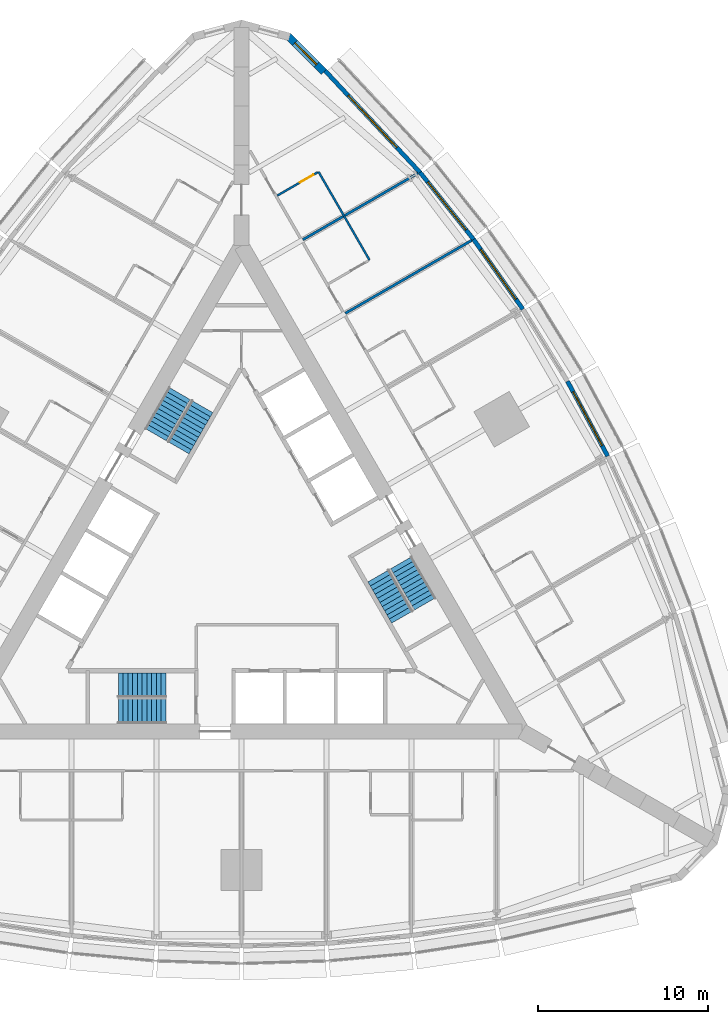
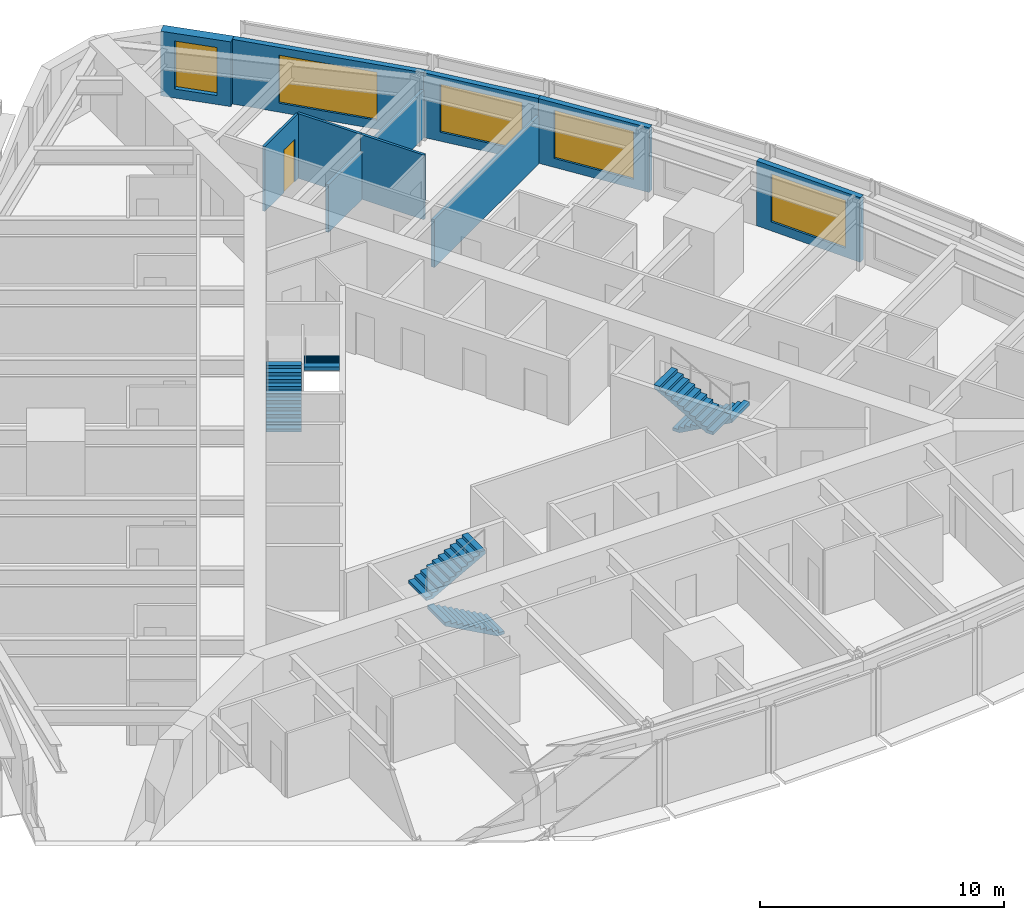
# One storey, part 13 of 14: 10 walls, 6 stair flights, 5 windows, 1 door, 6 openings, 3 elements without a shape of their own.
"""IFC4 building model written with IfcOpenShell, lengths in metres."""

from ifc_helpers import new_model, si_unit, direction, frame, frame_2d, origin, place, context, subcontext, project, spatial, polyline, rectangle, outline, extrude, material, layer, layer_set, type_object, element, fill, aggregate, save


model = new_model("IFC4")

# Units and contexts
model_context = context("Model", 3, precision=1e-05, world=origin(), true_north=direction((0.0, 1.0)))
body_context = subcontext(model_context, "Body", "Model", "MODEL_VIEW")
ifc_project = project(units=[si_unit("LENGTHUNIT", "METRE"), si_unit("AREAUNIT", "SQUARE_METRE"), si_unit("VOLUMEUNIT", "CUBIC_METRE"), si_unit("PLANEANGLEUNIT", "RADIAN"), si_unit("MASSUNIT", "GRAM", prefix="KILO")], contexts=[model_context])

# Site, building, storey
site_placement = place(None, origin())
site = spatial("IfcSite", under=ifc_project, at=site_placement, CompositionType="ELEMENT")
building_placement = place(site_placement, origin())
building = spatial("IfcBuilding", under=site, at=building_placement, Name="Trikona Tower", CompositionType="ELEMENT")
storey_placement = place(building_placement, frame((0.0, 0.0, 38.699951171875)))
storey = spatial("IfcBuildingStorey", under=building, at=storey_placement, Name="L08", CompositionType="ELEMENT", Elevation=38.699951171875)

# Walls
ifc_material_1 = material(Name="Metal stud and cement board", Category="gypsum")
ifc_layer_1 = layer(ifc_material_1, 0.1201171875)
ifc_layer_set_1 = layer_set([ifc_layer_1], Name="Bathroom wall 120")
wall_type_1 = type_object("IfcWallType", Name="Bathroom wall 120", PredefinedType="PLUMBINGWALL", material=ifc_layer_set_1)
for number, where, z_axis, x_axis, name in (
    (1, (7.53271484375, 18.205322265625, 0.0), (0.0, 0.0, 1.0), (-0.499990139034, 0.866031096941, 0.0), "Bathroom wall 0811"),
    (2, (6.03271484375, 20.803466796875, 0.0), (0.0, 0.0, 1.0), (-0.499990139034, 0.866031096941, 0.0), "Bathroom wall 0812"),
):
    element("IfcWall", number, at=place(storey_placement, frame(where, z_axis=z_axis, x_axis=x_axis)), inside=storey, type_object=wall_type_1, Name=name, PredefinedType="PLUMBINGWALL", context=body_context, shape_type="SweptSolid", body=[
        extrude(rectangle(XDim=3.0, YDim=0.1201171875, at=frame_2d((1.5, 0.0))), origin(), (0.0, 0.0, 1.0), 3.235107421875),
    ])

# Wall, opening, door
wall_1_placement = place(storey_placement, frame((2.10791015625, 22.001708984375, 0.0), z_axis=(0.0, 0.0, 1.0), x_axis=(0.866035715982, 0.499982138324, 0.0)))
wall_1 = element("IfcWall", 3, at=wall_1_placement, inside=storey, type_object=wall_type_1, Name="Bathroom wall 0812", PredefinedType="PLUMBINGWALL", context=body_context, shape_type="SweptSolid", body=[
    extrude(rectangle(XDim=2.73974609375, YDim=0.1201171875, at=frame_2d((1.369873046875, 0.0))), origin(), (0.0, 0.0, 1.0), 3.235107421875),
])
opening_1_placement = place(wall_1_placement, frame((1.550048828125, 0.0, 0.0)))
opening_1 = element("IfcOpeningElement", 4, at=opening_1_placement, cuts=wall_1, Name="Opening D2", PredefinedType="OPENING", context=body_context, shape_type="SweptSolid", body=[
    extrude(rectangle(XDim=0.89990234375, YDim=2.1298828125, at=frame_2d((0.449951171875, 1.06494140625))), frame((0.0, 0.070068359375, 0.0), z_axis=(0.0, -1.0, 0.0), x_axis=(1.0, 0.0, 0.0)), (0.0, 0.0, 1.0), 0.14013671875),
])
ifc_material_2 = material(Name="Steel door frame with solid-core timber leaf", Category="steel")
door_type = type_object("IfcDoorType", Name="Bathroom door 900x2130", OperationType="SLIDING_TO_LEFT", PredefinedType="DOOR", material=ifc_material_2)
door_placement = place(opening_1_placement, origin())
door = element("IfcDoor", 5, at=door_placement, inside=storey, type_object=door_type, Name="Bathroom door 0812", OperationType="SLIDING_TO_LEFT", OverallHeight=2.1298828125, OverallWidth=0.89990234375, PredefinedType="DOOR", context=body_context, shape_type="SweptSolid", body=[
    extrude(rectangle(XDim=0.89990234375, YDim=2.1298828125, at=frame_2d((0.449951171875, 1.06494140625))), frame((0.0, 0.02490234375, 0.0), z_axis=(0.0, -1.0, 0.0), x_axis=(1.0, 0.0, 0.0)), (0.0, 0.0, 1.0), 0.050048828125),
])
fill(opening_1, door)

# Wall, opening, window
ifc_material_3 = material(Name="Brick-faced precast concrete", Category="masonry")
ifc_layer_2 = layer(ifc_material_3, 0.449951171875)
ifc_layer_set_2 = layer_set([ifc_layer_2], Name="Brick-faced corner wall 450")
wall_type_2 = type_object("IfcWallType", Name="Brick-faced corner wall 450", PredefinedType="SOLIDWALL", material=ifc_layer_set_2)
wall_2_placement = place(storey_placement, frame((4.8408203125, 29.285888671875, 0.0), z_axis=(0.0, 0.0, 1.0), x_axis=(-0.707106781187, 0.707106781187, 0.0)))
wall_2 = element("IfcWall", 6, at=wall_2_placement, inside=storey, type_object=wall_type_2, Name="External wall L08-20", PredefinedType="SOLIDWALL", context=body_context, shape_type="SweptSolid", body=[
    extrude(rectangle(XDim=2.98828125, YDim=0.449951171875, at=frame_2d((1.494140625, 0.0))), origin(), (0.0, 0.0, 1.0), 3.235107421875),
])
opening_2_placement = place(wall_2_placement, frame((0.59423828125, 0.0, 0.449951171875)))
opening_2 = element("IfcOpeningElement", 7, at=opening_2_placement, cuts=wall_2, Name="Opening W1824", PredefinedType="OPENING", context=body_context, shape_type="SweptSolid", body=[
    extrude(rectangle(XDim=1.800048828125, YDim=2.39990234375, at=frame_2d((0.89990234375, 1.199951171875))), frame((0.0, 0.23486328125, 0.0), z_axis=(0.0, -1.0, 0.0), x_axis=(1.0, 0.0, 0.0)), (0.0, 0.0, 1.0), 0.469970703125),
])
ifc_material_4 = material(Name="Aluminium-framed double glazing", Category="aluminium")
window_type_1 = type_object("IfcWindowType", Name="Window 1800x2400", PartitioningType="SINGLE_PANEL", PredefinedType="WINDOW", material=ifc_material_4)
window_1_placement = place(opening_2_placement, origin())
window_1 = element("IfcWindow", 8, at=window_1_placement, inside=storey, type_object=window_type_1, Name="Window 0812", OverallHeight=2.39990234375, OverallWidth=1.800048828125, PartitioningType="SINGLE_PANEL", PredefinedType="WINDOW", context=body_context, shape_type="SweptSolid", body=[
    extrude(rectangle(XDim=1.800048828125, YDim=2.39990234375, at=frame_2d((0.89990234375, 1.199951171875))), frame((0.0, 0.030029296875, 0.0), z_axis=(0.0, -1.0, 0.0), x_axis=(1.0, 0.0, 0.0)), (0.0, 0.0, 1.0), 0.06005859375),
])
fill(opening_2, window_1)

ifc_material_5 = material(Name="Insulated precast concrete spandrel panel", Category="concrete")
ifc_layer_3 = layer(ifc_material_5, 0.25)
ifc_layer_set_3 = layer_set([ifc_layer_3], Name="Inner skin wall 250")
wall_type_3 = type_object("IfcWallType", Name="Inner skin wall 250", PredefinedType="STANDARD", material=ifc_layer_set_3)
wall_3_placement = place(storey_placement, frame((21.546630859375, 6.6708984375, 0.0), z_axis=(0.0, 0.0, 1.0), x_axis=(-0.473412820489, 0.880840678782, 0.0)))
wall_3 = element("IfcWall", 9, at=wall_3_placement, inside=storey, type_object=wall_type_3, Name="External wall L08-15", PredefinedType="STANDARD", context=body_context, shape_type="SweptSolid", body=[
    extrude(rectangle(XDim=5.00244140625, YDim=0.25, at=frame_2d((2.501220703125, 0.0))), origin(), (0.0, 0.0, 1.0), 3.235107421875),
])
opening_3_placement = place(wall_3_placement, frame((0.701171875, 0.0, 0.449951171875)))
opening_3 = element("IfcOpeningElement", 10, at=opening_3_placement, cuts=wall_3, Name="Opening W3624", PredefinedType="OPENING", context=body_context, shape_type="SweptSolid", body=[
    extrude(rectangle(XDim=3.60009765625, YDim=2.39990234375, at=frame_2d((1.800048828125, 1.199951171875))), frame((0.0, 0.135009765625, 0.0), z_axis=(0.0, -1.0, 0.0), x_axis=(1.0, 0.0, 0.0)), (0.0, 0.0, 1.0), 0.27001953125),
])
ifc_material_6 = material(Name="Aluminium-framed double glazing", Category="aluminium")
window_type_2 = type_object("IfcWindowType", Name="Window 3600x2400", PartitioningType="SINGLE_PANEL", PredefinedType="WINDOW", material=ifc_material_6)
window_2_placement = place(opening_3_placement, origin())
window_2 = element("IfcWindow", 11, at=window_2_placement, inside=storey, type_object=window_type_2, Name="Window 0809", OverallHeight=2.39990234375, OverallWidth=3.60009765625, PartitioningType="SINGLE_PANEL", PredefinedType="WINDOW", context=body_context, shape_type="SweptSolid", body=[
    extrude(rectangle(XDim=3.60009765625, YDim=2.39990234375, at=frame_2d((1.800048828125, 1.199951171875))), frame((0.0, 0.030029296875, 0.0), z_axis=(0.0, -1.0, 0.0), x_axis=(1.0, 0.0, 0.0)), (0.0, 0.0, 1.0), 0.06005859375),
])
fill(opening_3, window_2)

wall_4_placement = place(storey_placement, frame((16.5546875, 15.318115234375, 0.0), z_axis=(0.0, 0.0, 1.0), x_axis=(-0.5766431066, 0.81699616132, 0.0)))
wall_4 = element("IfcWall", 12, at=wall_4_placement, inside=storey, type_object=wall_type_3, Name="External wall L08-17", PredefinedType="STANDARD", context=body_context, shape_type="SweptSolid", body=[
    extrude(rectangle(XDim=5.02099609375, YDim=0.25, at=frame_2d((2.510498046875, 0.0))), origin(), (0.0, 0.0, 1.0), 3.235107421875),
])
opening_4_placement = place(wall_4_placement, frame((0.71044921875, 0.0, 0.449951171875)))
opening_4 = element("IfcOpeningElement", 13, at=opening_4_placement, cuts=wall_4, Name="Opening W3624", PredefinedType="OPENING", context=body_context, shape_type="SweptSolid", body=[
    extrude(rectangle(XDim=3.60009765625, YDim=2.39990234375, at=frame_2d((1.800048828125, 1.199951171875))), frame((0.0, 0.135009765625, 0.0), z_axis=(0.0, -1.0, 0.0), x_axis=(1.0, 0.0, 0.0)), (0.0, 0.0, 1.0), 0.27001953125),
])
window_3_placement = place(opening_4_placement, origin())
window_3 = element("IfcWindow", 14, at=window_3_placement, inside=storey, type_object=window_type_2, Name="Window 0810", OverallHeight=2.39990234375, OverallWidth=3.60009765625, PartitioningType="SINGLE_PANEL", PredefinedType="WINDOW", context=body_context, shape_type="SweptSolid", body=[
    extrude(rectangle(XDim=3.60009765625, YDim=2.39990234375, at=frame_2d((1.800048828125, 1.199951171875))), frame((0.0, 0.030029296875, 0.0), z_axis=(0.0, -1.0, 0.0), x_axis=(1.0, 0.0, 0.0)), (0.0, 0.0, 1.0), 0.06005859375),
])
fill(opening_4, window_3)

wall_5_placement = place(storey_placement, frame((13.663818359375, 19.4140625, 0.0), z_axis=(0.0, 0.0, 1.0), x_axis=(-0.624594965756, 0.780948864364, 0.0)))
wall_5 = element("IfcWall", 15, at=wall_5_placement, inside=storey, type_object=wall_type_3, Name="External wall L08-18", PredefinedType="STANDARD", context=body_context, shape_type="SweptSolid", body=[
    extrude(rectangle(XDim=5.0576171875, YDim=0.25, at=frame_2d((2.52880859375, 0.0))), origin(), (0.0, 0.0, 1.0), 3.235107421875),
])
opening_5_placement = place(wall_5_placement, frame((0.728759765625, 0.0, 0.449951171875)))
opening_5 = element("IfcOpeningElement", 16, at=opening_5_placement, cuts=wall_5, Name="Opening W3624", PredefinedType="OPENING", context=body_context, shape_type="SweptSolid", body=[
    extrude(rectangle(XDim=3.60009765625, YDim=2.39990234375, at=frame_2d((1.800048828125, 1.199951171875))), frame((0.0, 0.135009765625, 0.0), z_axis=(0.0, -1.0, 0.0), x_axis=(1.0, 0.0, 0.0)), (0.0, 0.0, 1.0), 0.27001953125),
])
window_4_placement = place(opening_5_placement, origin())
window_4 = element("IfcWindow", 17, at=window_4_placement, inside=storey, type_object=window_type_2, Name="Window 0811", OverallHeight=2.39990234375, OverallWidth=3.60009765625, PartitioningType="SINGLE_PANEL", PredefinedType="WINDOW", context=body_context, shape_type="SweptSolid", body=[
    extrude(rectangle(XDim=3.60009765625, YDim=2.39990234375, at=frame_2d((1.800048828125, 1.199951171875))), frame((0.0, 0.030029296875, 0.0), z_axis=(0.0, -1.0, 0.0), x_axis=(1.0, 0.0, 0.0)), (0.0, 0.0, 1.0), 0.06005859375),
])
fill(opening_5, window_4)

wall_6_placement = place(storey_placement, frame((10.510986328125, 23.356689453125, 0.0), z_axis=(0.0, 0.0, 1.0), x_axis=(-0.682289646561, 0.731081964075, 0.0)))
wall_6 = element("IfcWall", 18, at=wall_6_placement, inside=storey, type_object=wall_type_3, Name="External wall L08-19", PredefinedType="STANDARD", context=body_context, shape_type="SweptSolid", body=[
    extrude(rectangle(XDim=8.2109375, YDim=0.25, at=frame_2d((4.10546875, 0.0))), origin(), (0.0, 0.0, 1.0), 3.235107421875),
])
opening_6_placement = place(wall_6_placement, frame((2.005615234375, 0.0, 0.449951171875)))
opening_6 = element("IfcOpeningElement", 19, at=opening_6_placement, cuts=wall_6, Name="Opening W4224", PredefinedType="OPENING", context=body_context, shape_type="SweptSolid", body=[
    extrude(rectangle(XDim=4.199951171875, YDim=2.39990234375, at=frame_2d((2.10009765625, 1.199951171875))), frame((0.0, 0.135009765625, 0.0), z_axis=(0.0, -1.0, 0.0), x_axis=(1.0, 0.0, 0.0)), (0.0, 0.0, 1.0), 0.27001953125),
])
ifc_material_7 = material(Name="Aluminium-framed double glazing", Category="aluminium")
window_type_3 = type_object("IfcWindowType", Name="Window 4200x2400", PartitioningType="SINGLE_PANEL", PredefinedType="WINDOW", material=ifc_material_7)
window_5_placement = place(opening_6_placement, origin())
window_5 = element("IfcWindow", 20, at=window_5_placement, inside=storey, type_object=window_type_3, Name="Window 0812", OverallHeight=2.39990234375, OverallWidth=4.199951171875, PartitioningType="SINGLE_PANEL", PredefinedType="WINDOW", context=body_context, shape_type="SweptSolid", body=[
    extrude(rectangle(XDim=4.199951171875, YDim=2.39990234375, at=frame_2d((2.10009765625, 1.199951171875))), frame((0.0, 0.030029296875, 0.0), z_axis=(0.0, -1.0, 0.0), x_axis=(1.0, 0.0, 0.0)), (0.0, 0.0, 1.0), 0.06005859375),
])
fill(opening_6, window_5)

# Walls
ifc_material_8 = material(Name="Metal stud and gypsum board, 1-hour acoustic", Category="gypsum")
ifc_layer_4 = layer(ifc_material_8, 0.14990234375)
ifc_layer_set_4 = layer_set([ifc_layer_4], Name="Party wall 150")
wall_type_4 = type_object("IfcWallType", Name="Party wall 150", PredefinedType="PARTITIONING", material=ifc_layer_set_4)
wall_7_placement = place(storey_placement, frame((6.10791015625, 15.073486328125, 0.0), z_axis=(0.0, 0.0, 1.0), x_axis=(0.866031196456, 0.499989966665, 0.0)))
element("IfcWall", 21, at=wall_7_placement, inside=storey, type_object=wall_type_4, Name="Partition L08 F2 u10", PredefinedType="PARTITIONING", context=body_context, shape_type="SweptSolid", body=[
    extrude(rectangle(XDim=8.584716796875, YDim=0.14990234375, at=frame_2d((4.29248046875, 0.0))), origin(), (0.0, 0.0, 1.0), 2.38916015625),
])
wall_8_placement = place(storey_placement, frame((3.60791015625, 19.403564453125, 0.0), z_axis=(0.0, 0.0, 1.0), x_axis=(0.866021300503, 0.500007107024, 0.0)))
element("IfcWall", 22, at=wall_8_placement, inside=storey, type_object=wall_type_4, Name="Partition L08 F2 u15", PredefinedType="PARTITIONING", context=body_context, shape_type="SweptSolid", body=[
    extrude(rectangle(XDim=7.8203125, YDim=0.14990234375, at=frame_2d((3.91015625, 0.0))), origin(), (0.0, 0.0, 1.0), 2.38916015625),
])

# Stair, stair flights
ifc_material_9 = material(Name="Concrete f'c 5000 psi", Category="concrete")
stair_type = type_object("IfcStairType", Name="Core stair", PredefinedType="HALF_TURN_STAIR", material=ifc_material_9)
stair_1_placement = place(storey_placement, origin())
stair_1 = element("IfcStair", 23, at=stair_1_placement, inside=storey, type_object=stair_type, Name="Stair A L08", PredefinedType="HALF_TURN_STAIR")
ifc_material_10 = material(Name="Concrete f'c 5000 psi", Category="concrete")
stair_flight_type = type_object("IfcStairFlightType", Name="Core stair flight 1450", PredefinedType="STRAIGHT", material=ifc_material_10)
stair_flight_1_placement = place(storey_placement, frame((-4.449951171875, -8.351318359375, 0.0), z_axis=(0.0, 0.0, 1.0), x_axis=(-1.0, 0.0, 0.0)))
stair_flight_1 = element("IfcStairFlight", 24, at=stair_flight_1_placement, type_object=stair_flight_type, Name="ST-A flight 1", NumberOfRisers=11, NumberOfTreads=10, PredefinedType="STRAIGHT", RiserHeight=0.154545, TreadLength=0.28, context=body_context, shape_type="SweptSolid", body=[
    extrude(outline(polyline([(0.0, 0.0), (0.0, 0.154541015625), (0.280029296875, 0.154541015625), (0.280029296875, 0.30908203125), (0.56005859375, 0.30908203125), (0.56005859375, 0.463623046875), (0.840087890625, 0.463623046875), (0.840087890625, 0.6181640625), (1.1201171875, 0.6181640625), (1.1201171875, 0.772705078125), (1.39990234375, 0.772705078125), (1.39990234375, 0.92724609375), (1.679931640625, 0.92724609375), (1.679931640625, 1.081787109375), (1.9599609375, 1.081787109375), (1.9599609375, 1.236328125), (2.239990234375, 1.236328125), (2.239990234375, 1.390869140625), (2.52001953125, 1.390869140625), (2.52001953125, 1.54541015625), (2.800048828125, 1.54541015625), (2.800048828125, 1.699951171875), (2.800048828125, 1.374267578125), (0.310302734375, 0.0), (0.0, 0.0)])), frame((0.0, 0.72509765625, 0.0), z_axis=(0.0, -1.0, 0.0), x_axis=(1.0, 0.0, 0.0)), (0.0, 0.0, 1.0), 1.449951171875),
])
stair_flight_2_placement = place(storey_placement, frame((-7.25, -6.80126953125, 1.699951171875), z_axis=(0.0, 0.0, 1.0), x_axis=(1.0, 0.0, 0.0)))
stair_flight_2 = element("IfcStairFlight", 25, at=stair_flight_2_placement, type_object=stair_flight_type, Name="ST-A flight 2", NumberOfRisers=11, NumberOfTreads=10, PredefinedType="STRAIGHT", RiserHeight=0.154545, TreadLength=0.28, context=body_context, shape_type="SweptSolid", body=[
    extrude(outline(polyline([(0.0, 0.0), (0.0, 0.154541015625), (0.280029296875, 0.154541015625), (0.280029296875, 0.30908203125), (0.56005859375, 0.30908203125), (0.56005859375, 0.463623046875), (0.840087890625, 0.463623046875), (0.840087890625, 0.6181640625), (1.1201171875, 0.6181640625), (1.1201171875, 0.772705078125), (1.39990234375, 0.772705078125), (1.39990234375, 0.92724609375), (1.679931640625, 0.92724609375), (1.679931640625, 1.081787109375), (1.9599609375, 1.081787109375), (1.9599609375, 1.236328125), (2.239990234375, 1.236328125), (2.239990234375, 1.390869140625), (2.52001953125, 1.390869140625), (2.52001953125, 1.54541015625), (2.800048828125, 1.54541015625), (2.800048828125, 1.699951171875), (2.800048828125, 1.374267578125), (0.310302734375, 0.0), (0.0, 0.0)])), frame((0.0, 0.72509765625, 0.0), z_axis=(0.0, -1.0, 0.0), x_axis=(1.0, 0.0, 0.0)), (0.0, 0.0, 1.0), 1.449951171875),
])
aggregate(stair_1, [stair_flight_1, stair_flight_2])

stair_2_placement = place(storey_placement, origin())
stair_2 = element("IfcStair", 26, at=stair_2_placement, inside=storey, type_object=stair_type, Name="Stair B L08", PredefinedType="HALF_TURN_STAIR")
stair_flight_3_placement = place(storey_placement, frame((9.407470703125, 0.408447265625, 0.0), z_axis=(0.0, 0.0, 1.0), x_axis=(0.5, -0.866025403784, 0.0)))
stair_flight_3 = element("IfcStairFlight", 27, at=stair_flight_3_placement, type_object=stair_flight_type, Name="ST-B flight 1", NumberOfRisers=11, NumberOfTreads=10, PredefinedType="STRAIGHT", RiserHeight=0.154545, TreadLength=0.28, context=body_context, shape_type="SweptSolid", body=[
    extrude(outline(polyline([(0.0, 0.0), (0.0, 0.154541015625), (0.280029296875, 0.154541015625), (0.280029296875, 0.30908203125), (0.56005859375, 0.30908203125), (0.56005859375, 0.463623046875), (0.840087890625, 0.463623046875), (0.840087890625, 0.6181640625), (1.1201171875, 0.6181640625), (1.1201171875, 0.772705078125), (1.39990234375, 0.772705078125), (1.39990234375, 0.92724609375), (1.679931640625, 0.92724609375), (1.679931640625, 1.081787109375), (1.9599609375, 1.081787109375), (1.9599609375, 1.236328125), (2.239990234375, 1.236328125), (2.239990234375, 1.390869140625), (2.52001953125, 1.390869140625), (2.52001953125, 1.54541015625), (2.800048828125, 1.54541015625), (2.800048828125, 1.699951171875), (2.800048828125, 1.374267578125), (0.310302734375, 0.0), (0.0, 0.0)])), frame((0.0, 0.72509765625, 0.0), z_axis=(0.0, -1.0, 0.0), x_axis=(1.0, 0.0, 0.0)), (0.0, 0.0, 1.0), 1.449951171875),
])
stair_flight_4_placement = place(storey_placement, frame((9.465087890625, -2.79150390625, 1.699951171875), z_axis=(0.0, 0.0, 1.0), x_axis=(-0.5, 0.866025403784, 0.0)))
stair_flight_4 = element("IfcStairFlight", 28, at=stair_flight_4_placement, type_object=stair_flight_type, Name="ST-B flight 2", NumberOfRisers=11, NumberOfTreads=10, PredefinedType="STRAIGHT", RiserHeight=0.154545, TreadLength=0.28, context=body_context, shape_type="SweptSolid", body=[
    extrude(outline(polyline([(0.0, 0.0), (0.0, 0.154541015625), (0.280029296875, 0.154541015625), (0.280029296875, 0.30908203125), (0.56005859375, 0.30908203125), (0.56005859375, 0.463623046875), (0.840087890625, 0.463623046875), (0.840087890625, 0.6181640625), (1.1201171875, 0.6181640625), (1.1201171875, 0.772705078125), (1.39990234375, 0.772705078125), (1.39990234375, 0.92724609375), (1.679931640625, 0.92724609375), (1.679931640625, 1.081787109375), (1.9599609375, 1.081787109375), (1.9599609375, 1.236328125), (2.239990234375, 1.236328125), (2.239990234375, 1.390869140625), (2.52001953125, 1.390869140625), (2.52001953125, 1.54541015625), (2.800048828125, 1.54541015625), (2.800048828125, 1.699951171875), (2.800048828125, 1.374267578125), (0.310302734375, 0.0), (0.0, 0.0)])), frame((0.0, 0.72509765625, 0.0), z_axis=(0.0, -1.0, 0.0), x_axis=(1.0, 0.0, 0.0)), (0.0, 0.0, 1.0), 1.449951171875),
])
aggregate(stair_2, [stair_flight_3, stair_flight_4])

stair_3_placement = place(storey_placement, origin())
stair_3 = element("IfcStair", 29, at=stair_3_placement, inside=storey, type_object=stair_type, Name="Stair C L08", PredefinedType="HALF_TURN_STAIR")
stair_flight_5_placement = place(storey_placement, frame((-5.057373046875, 7.94287109375, 0.0), z_axis=(0.0, 0.0, 1.0), x_axis=(0.5, 0.866025403784, 0.0)))
stair_flight_5 = element("IfcStairFlight", 30, at=stair_flight_5_placement, type_object=stair_flight_type, Name="ST-C flight 1", NumberOfRisers=11, NumberOfTreads=10, PredefinedType="STRAIGHT", RiserHeight=0.154545, TreadLength=0.28, context=body_context, shape_type="SweptSolid", body=[
    extrude(outline(polyline([(0.0, 0.0), (0.0, 0.154541015625), (0.280029296875, 0.154541015625), (0.280029296875, 0.30908203125), (0.56005859375, 0.30908203125), (0.56005859375, 0.463623046875), (0.840087890625, 0.463623046875), (0.840087890625, 0.6181640625), (1.1201171875, 0.6181640625), (1.1201171875, 0.772705078125), (1.39990234375, 0.772705078125), (1.39990234375, 0.92724609375), (1.679931640625, 0.92724609375), (1.679931640625, 1.081787109375), (1.9599609375, 1.081787109375), (1.9599609375, 1.236328125), (2.239990234375, 1.236328125), (2.239990234375, 1.390869140625), (2.52001953125, 1.390869140625), (2.52001953125, 1.54541015625), (2.800048828125, 1.54541015625), (2.800048828125, 1.699951171875), (2.800048828125, 1.374267578125), (0.310302734375, 0.0), (0.0, 0.0)])), frame((0.0, 0.72509765625, 0.0), z_axis=(0.0, -1.0, 0.0), x_axis=(1.0, 0.0, 0.0)), (0.0, 0.0, 1.0), 1.449951171875),
])
stair_flight_6_placement = place(storey_placement, frame((-2.315185546875, 9.5927734375, 1.699951171875), z_axis=(0.0, 0.0, 1.0), x_axis=(-0.5, -0.866025403784, 0.0)))
stair_flight_6 = element("IfcStairFlight", 31, at=stair_flight_6_placement, type_object=stair_flight_type, Name="ST-C flight 2", NumberOfRisers=11, NumberOfTreads=10, PredefinedType="STRAIGHT", RiserHeight=0.154545, TreadLength=0.28, context=body_context, shape_type="SweptSolid", body=[
    extrude(outline(polyline([(0.0, 0.0), (0.0, 0.154541015625), (0.280029296875, 0.154541015625), (0.280029296875, 0.30908203125), (0.56005859375, 0.30908203125), (0.56005859375, 0.463623046875), (0.840087890625, 0.463623046875), (0.840087890625, 0.6181640625), (1.1201171875, 0.6181640625), (1.1201171875, 0.772705078125), (1.39990234375, 0.772705078125), (1.39990234375, 0.92724609375), (1.679931640625, 0.92724609375), (1.679931640625, 1.081787109375), (1.9599609375, 1.081787109375), (1.9599609375, 1.236328125), (2.239990234375, 1.236328125), (2.239990234375, 1.390869140625), (2.52001953125, 1.390869140625), (2.52001953125, 1.54541015625), (2.800048828125, 1.54541015625), (2.800048828125, 1.699951171875), (2.800048828125, 1.374267578125), (0.310302734375, 0.0), (0.0, 0.0)])), frame((0.0, 0.72509765625, 0.0), z_axis=(0.0, -1.0, 0.0), x_axis=(1.0, 0.0, 0.0)), (0.0, 0.0, 1.0), 1.449951171875),
])
aggregate(stair_3, [stair_flight_5, stair_flight_6])

save(model, "model.ifc")
